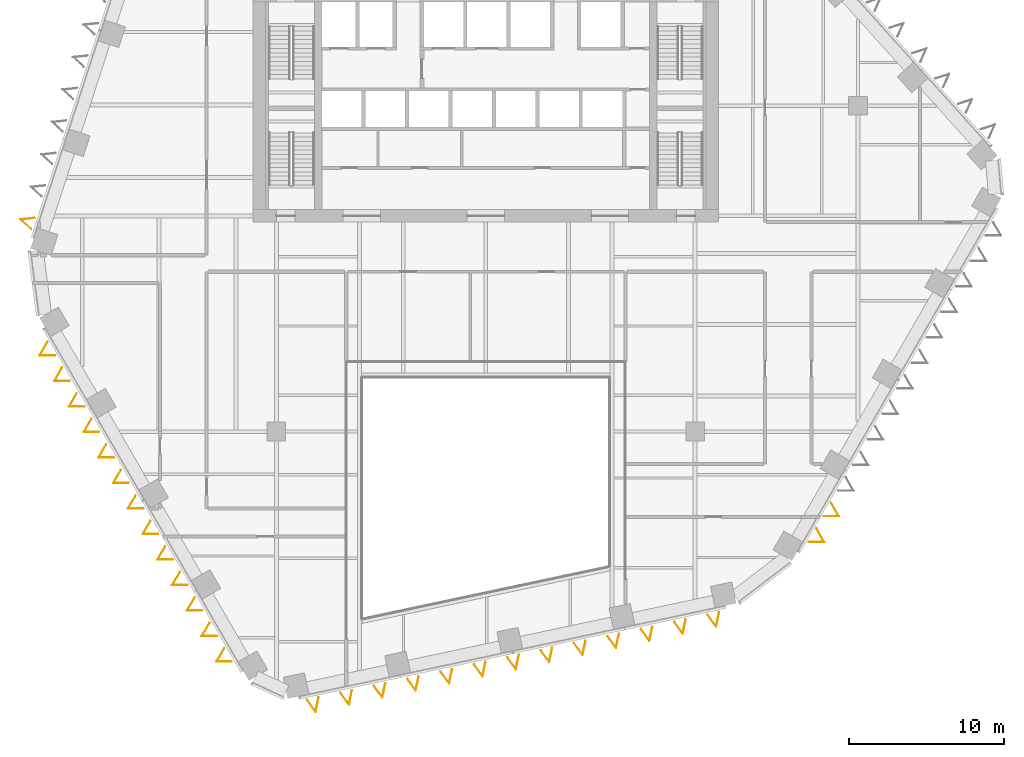
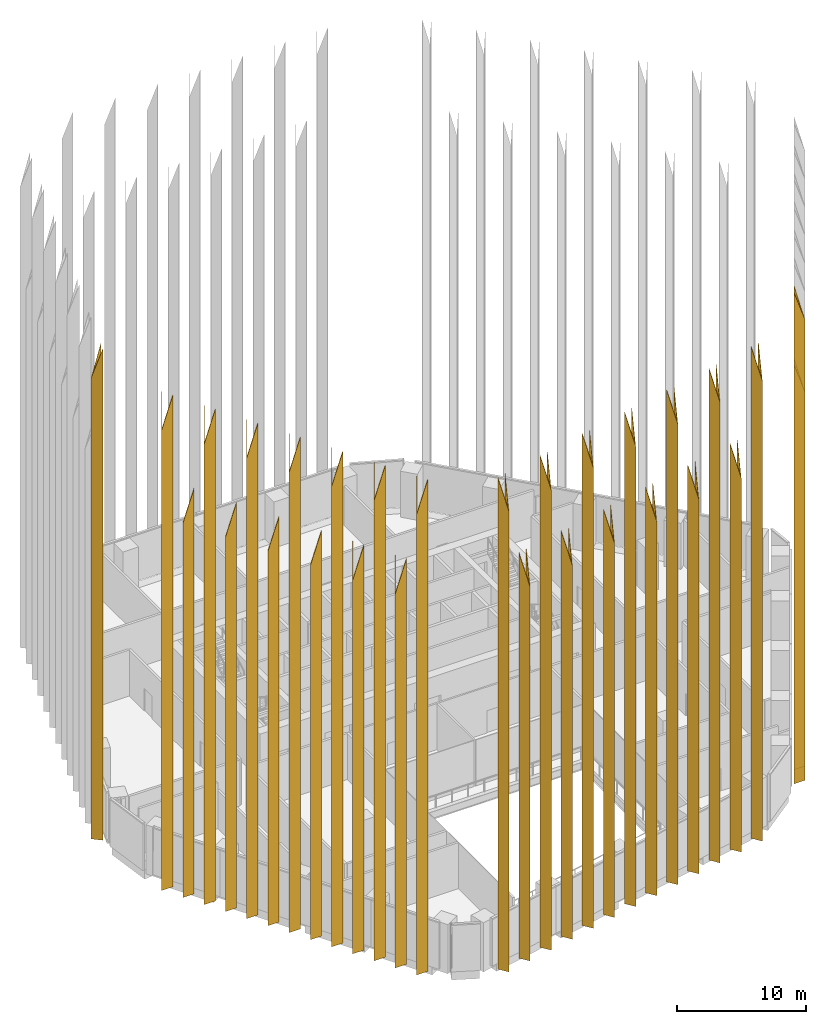
# One storey, part 16 of 18: 29 coverings.
"""IFC4 building model written with IfcOpenShell, lengths in metres."""

from ifc_helpers import new_model, si_unit, direction, frame, origin, place, context, subcontext, project, spatial, polyline, outline, faceted_brep, material, material_profile, profile_set, type_object, element, save


model = new_model("IFC4")

# Units and contexts
model_context = context("Model", 3, precision=1e-05, world=origin(), true_north=direction((0.0, 1.0)))
body_context = subcontext(model_context, "Body", "Model", "MODEL_VIEW")
ifc_project = project(units=[si_unit("LENGTHUNIT", "METRE"), si_unit("AREAUNIT", "SQUARE_METRE"), si_unit("VOLUMEUNIT", "CUBIC_METRE"), si_unit("PLANEANGLEUNIT", "RADIAN"), si_unit("MASSUNIT", "GRAM", prefix="KILO")], contexts=[model_context])

# Site, building, storey
site_placement = place(None, origin())
site = spatial("IfcSite", under=ifc_project, at=site_placement, CompositionType="ELEMENT")
building_placement = place(site_placement, origin())
building = spatial("IfcBuilding", under=site, at=building_placement, Name="Isthmus Gate Tower", CompositionType="ELEMENT")
storey_placement = place(building_placement, frame((0.0, 0.0, 166.300048828125)))
storey = spatial("IfcBuildingStorey", under=building, at=storey_placement, Name="L41", CompositionType="ELEMENT", Elevation=166.300048828125)

# Coverings
ifc_material_1 = material(Name="Structural steel ASTM A572 Gr 50, white paint system", Category="steel")
ifc_material_profile_1 = material_profile(ifc_material_1, outline(polyline([(0.0, -0.391845703125), (0.8798828125, 0.0), (0.0, 0.391845703125), (0.0, 0.35888671875), (0.80615234375, 0.0), (0.0, -0.35888671875), (0.0, -0.391845703125)])), Name="V880")
ifc_profile_set_1 = profile_set([ifc_material_profile_1], Name="Structural steel ASTM A572 Gr 50, white paint system")
covering_type_1 = type_object("IfcCoveringType", Name="FIN V 880 DEEP", PredefinedType="CLADDING", material=ifc_profile_set_1)
covering_1_placement = place(storey_placement, frame((0.0, 0.0, -166.300048828125)))
element("IfcCovering", 1, at=covering_1_placement, inside=storey, type_object=covering_type_1, Name="FIN", ObjectType="FIN", PredefinedType="CLADDING", context=body_context, shape_type="Brep", body=[
    faceted_brep([(-29.083740234375, 0.25244140625, 165.89990234375), (-29.96142578125, 0.16015625, 165.89990234375), (-29.305419921875, -0.43017578125, 165.89990234375), (-29.315673828125, -0.46142578125, 165.89990234375), (-30.031494140625, 0.18310546875, 165.89990234375), (-29.073486328125, 0.28369140625, 165.89990234375), (-29.073486328125, 0.28369140625, 212.39990234375), (-30.031494140625, 0.18310546875, 209.39990234375), (-29.315673828125, -0.46142578125, 212.39990234375), (-29.305419921875, -0.43017578125, 212.39990234375), (-29.96142578125, 0.16015625, 209.6513671875), (-29.083740234375, 0.25244140625, 212.39990234375)], [[[0, 1, 2, 3, 4, 5]], [[6, 7, 8, 9, 10, 11]], [[5, 4, 7, 6]], [[4, 3, 8, 7]], [[3, 2, 9, 8]], [[2, 1, 10, 9]], [[1, 0, 11, 10]], [[0, 5, 6, 11]]]),
])
covering_2_placement = place(storey_placement, frame((0.0, 0.0, -166.300048828125)))
element("IfcCovering", 2, at=covering_2_placement, inside=storey, type_object=covering_type_1, Name="FIN", ObjectType="FIN", PredefinedType="CLADDING", context=body_context, shape_type="Brep", body=[
    faceted_brep([(-11.499755859375, -30.80224609375, 165.89990234375), (-10.98095703125, -31.51611328125, 165.89990234375), (-10.797607421875, -30.65283203125, 165.89990234375), (-10.765380859375, -30.64599609375, 165.89990234375), (-10.9658203125, -31.58837890625, 165.89990234375), (-11.531982421875, -30.80908203125, 165.89990234375), (-11.531982421875, -30.80908203125, 212.39990234375), (-10.9658203125, -31.58837890625, 209.39990234375), (-10.765380859375, -30.64599609375, 212.39990234375), (-10.797607421875, -30.65283203125, 212.39990234375), (-10.98095703125, -31.51611328125, 209.6513671875), (-11.499755859375, -30.80224609375, 212.39990234375)], [[[0, 1, 2, 3, 4, 5]], [[6, 7, 8, 9, 10, 11]], [[5, 4, 7, 6]], [[4, 3, 8, 7]], [[3, 2, 9, 8]], [[2, 1, 10, 9]], [[1, 0, 11, 10]], [[0, 5, 6, 11]]]),
])
covering_3_placement = place(storey_placement, frame((0.0, 0.0, -166.300048828125)))
element("IfcCovering", 3, at=covering_3_placement, inside=storey, type_object=covering_type_1, Name="FIN", ObjectType="FIN", PredefinedType="CLADDING", context=body_context, shape_type="Brep", body=[
    faceted_brep([(-9.347900390625, -30.344970703125, 165.89990234375), (-8.8291015625, -31.058837890625, 165.89990234375), (-8.645751953125, -30.195556640625, 165.89990234375), (-8.613525390625, -30.188720703125, 165.89990234375), (-8.81396484375, -31.131103515625, 165.89990234375), (-9.380126953125, -30.351806640625, 165.89990234375), (-9.380126953125, -30.351806640625, 204.25), (-8.81396484375, -31.131103515625, 201.25), (-8.613525390625, -30.188720703125, 204.25), (-8.645751953125, -30.195556640625, 204.25), (-8.8291015625, -31.058837890625, 201.50146484375), (-9.347900390625, -30.344970703125, 204.25)], [[[0, 1, 2, 3, 4, 5]], [[6, 7, 8, 9, 10, 11]], [[5, 4, 7, 6]], [[4, 3, 8, 7]], [[3, 2, 9, 8]], [[2, 1, 10, 9]], [[1, 0, 11, 10]], [[0, 5, 6, 11]]]),
])
covering_4_placement = place(storey_placement, frame((0.0, 0.0, -166.300048828125)))
element("IfcCovering", 4, at=covering_4_placement, inside=storey, type_object=covering_type_1, Name="FIN", ObjectType="FIN", PredefinedType="CLADDING", context=body_context, shape_type="Brep", body=[
    faceted_brep([(-7.196044921875, -29.887451171875, 165.89990234375), (-6.67724609375, -30.601318359375, 165.89990234375), (-6.493896484375, -29.738037109375, 165.89990234375), (-6.461669921875, -29.731201171875, 165.89990234375), (-6.662109375, -30.673583984375, 165.89990234375), (-7.228271484375, -29.894287109375, 165.89990234375), (-7.228271484375, -29.894287109375, 212.39990234375), (-6.662109375, -30.673583984375, 209.39990234375), (-6.461669921875, -29.731201171875, 212.39990234375), (-6.493896484375, -29.738037109375, 212.39990234375), (-6.67724609375, -30.601318359375, 209.6513671875), (-7.196044921875, -29.887451171875, 212.39990234375)], [[[0, 1, 2, 3, 4, 5]], [[6, 7, 8, 9, 10, 11]], [[5, 4, 7, 6]], [[4, 3, 8, 7]], [[3, 2, 9, 8]], [[2, 1, 10, 9]], [[1, 0, 11, 10]], [[0, 5, 6, 11]]]),
])
covering_5_placement = place(storey_placement, frame((0.0, 0.0, -166.300048828125)))
element("IfcCovering", 5, at=covering_5_placement, inside=storey, type_object=covering_type_1, Name="FIN", ObjectType="FIN", PredefinedType="CLADDING", context=body_context, shape_type="Brep", body=[
    faceted_brep([(-5.044189453125, -29.43017578125, 165.89990234375), (-4.525390625, -30.14404296875, 165.89990234375), (-4.342041015625, -29.28076171875, 165.89990234375), (-4.309814453125, -29.27392578125, 165.89990234375), (-4.51025390625, -30.21630859375, 165.89990234375), (-5.076416015625, -29.43701171875, 165.89990234375), (-5.076416015625, -29.43701171875, 204.25), (-4.51025390625, -30.21630859375, 201.25), (-4.309814453125, -29.27392578125, 204.25), (-4.342041015625, -29.28076171875, 204.25), (-4.525390625, -30.14404296875, 201.50146484375), (-5.044189453125, -29.43017578125, 204.25)], [[[0, 1, 2, 3, 4, 5]], [[6, 7, 8, 9, 10, 11]], [[5, 4, 7, 6]], [[4, 3, 8, 7]], [[3, 2, 9, 8]], [[2, 1, 10, 9]], [[1, 0, 11, 10]], [[0, 5, 6, 11]]]),
])
covering_6_placement = place(storey_placement, frame((0.0, 0.0, -166.300048828125)))
element("IfcCovering", 6, at=covering_6_placement, inside=storey, type_object=covering_type_1, Name="FIN", ObjectType="FIN", PredefinedType="CLADDING", context=body_context, shape_type="Brep", body=[
    faceted_brep([(-2.89208984375, -28.97265625, 165.89990234375), (-2.373291015625, -29.6865234375, 165.89990234375), (-2.18994140625, -28.8232421875, 165.89990234375), (-2.15771484375, -28.81640625, 165.89990234375), (-2.358154296875, -29.7587890625, 165.89990234375), (-2.92431640625, -28.9794921875, 165.89990234375), (-2.92431640625, -28.9794921875, 212.39990234375), (-2.358154296875, -29.7587890625, 209.39990234375), (-2.15771484375, -28.81640625, 212.39990234375), (-2.18994140625, -28.8232421875, 212.39990234375), (-2.373291015625, -29.6865234375, 209.6513671875), (-2.89208984375, -28.97265625, 212.39990234375)], [[[0, 1, 2, 3, 4, 5]], [[6, 7, 8, 9, 10, 11]], [[5, 4, 7, 6]], [[4, 3, 8, 7]], [[3, 2, 9, 8]], [[2, 1, 10, 9]], [[1, 0, 11, 10]], [[0, 5, 6, 11]]]),
])
covering_7_placement = place(storey_placement, frame((0.0, 0.0, -166.300048828125)))
element("IfcCovering", 7, at=covering_7_placement, inside=storey, type_object=covering_type_1, Name="FIN", ObjectType="FIN", PredefinedType="CLADDING", context=body_context, shape_type="Brep", body=[
    faceted_brep([(-0.740234375, -28.51513671875, 165.89990234375), (-0.221435546875, -29.22900390625, 165.89990234375), (-0.0380859375, -28.36572265625, 165.89990234375), (-0.005859375, -28.35888671875, 165.89990234375), (-0.206298828125, -29.30126953125, 165.89990234375), (-0.7724609375, -28.52197265625, 165.89990234375), (-0.7724609375, -28.52197265625, 204.25), (-0.206298828125, -29.30126953125, 201.25), (-0.005859375, -28.35888671875, 204.25), (-0.0380859375, -28.36572265625, 204.25), (-0.221435546875, -29.22900390625, 201.50146484375), (-0.740234375, -28.51513671875, 204.25)], [[[0, 1, 2, 3, 4, 5]], [[6, 7, 8, 9, 10, 11]], [[5, 4, 7, 6]], [[4, 3, 8, 7]], [[3, 2, 9, 8]], [[2, 1, 10, 9]], [[1, 0, 11, 10]], [[0, 5, 6, 11]]]),
])
covering_8_placement = place(storey_placement, frame((0.0, 0.0, -166.300048828125)))
element("IfcCovering", 8, at=covering_8_placement, inside=storey, type_object=covering_type_1, Name="FIN", ObjectType="FIN", PredefinedType="CLADDING", context=body_context, shape_type="Brep", body=[
    faceted_brep([(1.41162109375, -28.057861328125, 165.89990234375), (1.930419921875, -28.771728515625, 165.89990234375), (2.11376953125, -27.908447265625, 165.89990234375), (2.14599609375, -27.901611328125, 165.89990234375), (1.945556640625, -28.843994140625, 165.89990234375), (1.37939453125, -28.064697265625, 165.89990234375), (1.37939453125, -28.064697265625, 212.39990234375), (1.945556640625, -28.843994140625, 209.39990234375), (2.14599609375, -27.901611328125, 212.39990234375), (2.11376953125, -27.908447265625, 212.39990234375), (1.930419921875, -28.771728515625, 209.6513671875), (1.41162109375, -28.057861328125, 212.39990234375)], [[[0, 1, 2, 3, 4, 5]], [[6, 7, 8, 9, 10, 11]], [[5, 4, 7, 6]], [[4, 3, 8, 7]], [[3, 2, 9, 8]], [[2, 1, 10, 9]], [[1, 0, 11, 10]], [[0, 5, 6, 11]]]),
])
covering_9_placement = place(storey_placement, frame((0.0, 0.0, -166.300048828125)))
element("IfcCovering", 9, at=covering_9_placement, inside=storey, type_object=covering_type_1, Name="FIN", ObjectType="FIN", PredefinedType="CLADDING", context=body_context, shape_type="Brep", body=[
    faceted_brep([(3.563720703125, -27.600341796875, 165.89990234375), (4.08251953125, -28.314208984375, 165.89990234375), (4.265869140625, -27.450927734375, 165.89990234375), (4.298095703125, -27.444091796875, 165.89990234375), (4.09765625, -28.386474609375, 165.89990234375), (3.531494140625, -27.607177734375, 165.89990234375), (3.531494140625, -27.607177734375, 204.25), (4.09765625, -28.386474609375, 201.25), (4.298095703125, -27.444091796875, 204.25), (4.265869140625, -27.450927734375, 204.25), (4.08251953125, -28.314208984375, 201.50146484375), (3.563720703125, -27.600341796875, 204.25)], [[[0, 1, 2, 3, 4, 5]], [[6, 7, 8, 9, 10, 11]], [[5, 4, 7, 6]], [[4, 3, 8, 7]], [[3, 2, 9, 8]], [[2, 1, 10, 9]], [[1, 0, 11, 10]], [[0, 5, 6, 11]]]),
])
covering_10_placement = place(storey_placement, frame((0.0, 0.0, -166.300048828125)))
element("IfcCovering", 10, at=covering_10_placement, inside=storey, type_object=covering_type_1, Name="FIN", ObjectType="FIN", PredefinedType="CLADDING", context=body_context, shape_type="Brep", body=[
    faceted_brep([(5.715576171875, -27.14306640625, 165.89990234375), (6.234375, -27.85693359375, 165.89990234375), (6.417724609375, -26.99365234375, 165.89990234375), (6.449951171875, -26.98681640625, 165.89990234375), (6.24951171875, -27.92919921875, 165.89990234375), (5.683349609375, -27.14990234375, 165.89990234375), (5.683349609375, -27.14990234375, 212.39990234375), (6.24951171875, -27.92919921875, 209.39990234375), (6.449951171875, -26.98681640625, 212.39990234375), (6.417724609375, -26.99365234375, 212.39990234375), (6.234375, -27.85693359375, 209.6513671875), (5.715576171875, -27.14306640625, 212.39990234375)], [[[0, 1, 2, 3, 4, 5]], [[6, 7, 8, 9, 10, 11]], [[5, 4, 7, 6]], [[4, 3, 8, 7]], [[3, 2, 9, 8]], [[2, 1, 10, 9]], [[1, 0, 11, 10]], [[0, 5, 6, 11]]]),
])
covering_11_placement = place(storey_placement, frame((0.0, 0.0, -166.300048828125)))
element("IfcCovering", 11, at=covering_11_placement, inside=storey, type_object=covering_type_1, Name="FIN", ObjectType="FIN", PredefinedType="CLADDING", context=body_context, shape_type="Brep", body=[
    faceted_brep([(7.867431640625, -26.685546875, 165.89990234375), (8.38623046875, -27.3994140625, 165.89990234375), (8.569580078125, -26.5361328125, 165.89990234375), (8.601806640625, -26.529296875, 165.89990234375), (8.4013671875, -27.4716796875, 165.89990234375), (7.835205078125, -26.6923828125, 165.89990234375), (7.835205078125, -26.6923828125, 204.25), (8.4013671875, -27.4716796875, 201.25), (8.601806640625, -26.529296875, 204.25), (8.569580078125, -26.5361328125, 204.25), (8.38623046875, -27.3994140625, 201.50146484375), (7.867431640625, -26.685546875, 204.25)], [[[0, 1, 2, 3, 4, 5]], [[6, 7, 8, 9, 10, 11]], [[5, 4, 7, 6]], [[4, 3, 8, 7]], [[3, 2, 9, 8]], [[2, 1, 10, 9]], [[1, 0, 11, 10]], [[0, 5, 6, 11]]]),
])
covering_12_placement = place(storey_placement, frame((0.0, 0.0, -166.300048828125)))
element("IfcCovering", 12, at=covering_12_placement, inside=storey, type_object=covering_type_1, Name="FIN", ObjectType="FIN", PredefinedType="CLADDING", context=body_context, shape_type="Brep", body=[
    faceted_brep([(10.019287109375, -26.228271484375, 165.89990234375), (10.5380859375, -26.942138671875, 165.89990234375), (10.721435546875, -26.078857421875, 165.89990234375), (10.753662109375, -26.072021484375, 165.89990234375), (10.55322265625, -27.014404296875, 165.89990234375), (9.987060546875, -26.235107421875, 165.89990234375), (9.987060546875, -26.235107421875, 212.39990234375), (10.55322265625, -27.014404296875, 209.39990234375), (10.753662109375, -26.072021484375, 212.39990234375), (10.721435546875, -26.078857421875, 212.39990234375), (10.5380859375, -26.942138671875, 209.6513671875), (10.019287109375, -26.228271484375, 212.39990234375)], [[[0, 1, 2, 3, 4, 5]], [[6, 7, 8, 9, 10, 11]], [[5, 4, 7, 6]], [[4, 3, 8, 7]], [[3, 2, 9, 8]], [[2, 1, 10, 9]], [[1, 0, 11, 10]], [[0, 5, 6, 11]]]),
])
covering_13_placement = place(storey_placement, frame((0.0, 0.0, -166.300048828125)))
element("IfcCovering", 13, at=covering_13_placement, inside=storey, type_object=covering_type_1, Name="FIN", ObjectType="FIN", PredefinedType="CLADDING", context=body_context, shape_type="Brep", body=[
    faceted_brep([(12.17138671875, -25.770751953125, 165.89990234375), (12.690185546875, -26.484619140625, 165.89990234375), (12.87353515625, -25.621337890625, 165.89990234375), (12.90576171875, -25.614501953125, 165.89990234375), (12.705322265625, -26.556884765625, 165.89990234375), (12.13916015625, -25.777587890625, 165.89990234375), (12.13916015625, -25.777587890625, 204.25), (12.705322265625, -26.556884765625, 201.25), (12.90576171875, -25.614501953125, 204.25), (12.87353515625, -25.621337890625, 204.25), (12.690185546875, -26.484619140625, 201.50146484375), (12.17138671875, -25.770751953125, 204.25)], [[[0, 1, 2, 3, 4, 5]], [[6, 7, 8, 9, 10, 11]], [[5, 4, 7, 6]], [[4, 3, 8, 7]], [[3, 2, 9, 8]], [[2, 1, 10, 9]], [[1, 0, 11, 10]], [[0, 5, 6, 11]]]),
])
covering_14_placement = place(storey_placement, frame((0.0, 0.0, -166.300048828125)))
element("IfcCovering", 14, at=covering_14_placement, inside=storey, type_object=covering_type_1, Name="FIN", ObjectType="FIN", PredefinedType="CLADDING", context=body_context, shape_type="Brep", body=[
    faceted_brep([(14.3232421875, -25.3134765625, 165.89990234375), (14.842041015625, -26.02734375, 165.89990234375), (15.025390625, -25.1640625, 165.89990234375), (15.0576171875, -25.1572265625, 165.89990234375), (14.857177734375, -26.099609375, 165.89990234375), (14.291015625, -25.3203125, 165.89990234375), (14.291015625, -25.3203125, 212.39990234375), (14.857177734375, -26.099609375, 209.39990234375), (15.0576171875, -25.1572265625, 212.39990234375), (15.025390625, -25.1640625, 212.39990234375), (14.842041015625, -26.02734375, 209.6513671875), (14.3232421875, -25.3134765625, 212.39990234375)], [[[0, 1, 2, 3, 4, 5]], [[6, 7, 8, 9, 10, 11]], [[5, 4, 7, 6]], [[4, 3, 8, 7]], [[3, 2, 9, 8]], [[2, 1, 10, 9]], [[1, 0, 11, 10]], [[0, 5, 6, 11]]]),
])
ifc_material_2 = material(Name="Structural steel ASTM A572 Gr 50, white paint system", Category="steel")
ifc_material_profile_2 = material_profile(ifc_material_2, outline(polyline([(0.0, -0.508056640625), (0.8798828125, 0.0), (0.0, 0.508056640625), (0.0, 0.473388671875), (0.820068359375, 0.0), (0.0, -0.473388671875), (0.0, -0.508056640625)])), Name="V880W")
ifc_profile_set_2 = profile_set([ifc_material_profile_2], Name="Structural steel ASTM A572 Gr 50, white paint system")
covering_type_2 = type_object("IfcCoveringType", Name="FIN V 880 DEEP WIDE", PredefinedType="CLADDING", material=ifc_profile_set_2)
covering_15_placement = place(storey_placement, frame((0.0, 0.0, -166.300048828125)))
element("IfcCovering", 15, at=covering_15_placement, inside=storey, type_object=covering_type_2, Name="FIN", ObjectType="FIN", PredefinedType="CLADDING", context=body_context, shape_type="Brep", body=[
    faceted_brep([(-28.2578125, -7.75634765625, 165.89990234375), (-28.731201171875, -8.576171875, 165.89990234375), (-27.7841796875, -8.576171875, 165.89990234375), (-27.766845703125, -8.606201171875, 165.89990234375), (-28.783203125, -8.606201171875, 165.89990234375), (-28.275146484375, -7.726318359375, 165.89990234375), (-28.275146484375, -7.726318359375, 212.39990234375), (-28.783203125, -8.606201171875, 209.39990234375), (-27.766845703125, -8.606201171875, 212.39990234375), (-27.7841796875, -8.576171875, 212.39990234375), (-28.731201171875, -8.576171875, 209.6044921875), (-28.2578125, -7.75634765625, 212.39990234375)], [[[0, 1, 2, 3, 4, 5]], [[6, 7, 8, 9, 10, 11]], [[5, 4, 7, 6]], [[4, 3, 8, 7]], [[3, 2, 9, 8]], [[2, 1, 10, 9]], [[1, 0, 11, 10]], [[0, 5, 6, 11]]]),
])
covering_16_placement = place(storey_placement, frame((0.0, 0.0, -166.300048828125)))
element("IfcCovering", 16, at=covering_16_placement, inside=storey, type_object=covering_type_2, Name="FIN", ObjectType="FIN", PredefinedType="CLADDING", context=body_context, shape_type="Brep", body=[
    faceted_brep([(-27.307861328125, -9.40185546875, 165.89990234375), (-27.78125, -10.2216796875, 165.89990234375), (-26.834228515625, -10.2216796875, 165.89990234375), (-26.81689453125, -10.251708984375, 165.89990234375), (-27.833251953125, -10.251708984375, 165.89990234375), (-27.3251953125, -9.371826171875, 165.89990234375), (-27.3251953125, -9.371826171875, 204.25), (-27.833251953125, -10.251708984375, 201.25), (-26.81689453125, -10.251708984375, 204.25), (-26.834228515625, -10.2216796875, 204.25), (-27.78125, -10.2216796875, 201.45458984375), (-27.307861328125, -9.40185546875, 204.25)], [[[0, 1, 2, 3, 4, 5]], [[6, 7, 8, 9, 10, 11]], [[5, 4, 7, 6]], [[4, 3, 8, 7]], [[3, 2, 9, 8]], [[2, 1, 10, 9]], [[1, 0, 11, 10]], [[0, 5, 6, 11]]]),
])
covering_17_placement = place(storey_placement, frame((0.0, 0.0, -166.300048828125)))
element("IfcCovering", 17, at=covering_17_placement, inside=storey, type_object=covering_type_2, Name="FIN", ObjectType="FIN", PredefinedType="CLADDING", context=body_context, shape_type="Brep", body=[
    faceted_brep([(-26.357666015625, -11.04736328125, 165.89990234375), (-26.8310546875, -11.8671875, 165.89990234375), (-25.884033203125, -11.8671875, 165.89990234375), (-25.86669921875, -11.897216796875, 165.89990234375), (-26.883056640625, -11.897216796875, 165.89990234375), (-26.375, -11.017333984375, 165.89990234375), (-26.375, -11.017333984375, 212.39990234375), (-26.883056640625, -11.897216796875, 209.39990234375), (-25.86669921875, -11.897216796875, 212.39990234375), (-25.884033203125, -11.8671875, 212.39990234375), (-26.8310546875, -11.8671875, 209.6044921875), (-26.357666015625, -11.04736328125, 212.39990234375)], [[[0, 1, 2, 3, 4, 5]], [[6, 7, 8, 9, 10, 11]], [[5, 4, 7, 6]], [[4, 3, 8, 7]], [[3, 2, 9, 8]], [[2, 1, 10, 9]], [[1, 0, 11, 10]], [[0, 5, 6, 11]]]),
])
covering_18_placement = place(storey_placement, frame((0.0, 0.0, -166.300048828125)))
element("IfcCovering", 18, at=covering_18_placement, inside=storey, type_object=covering_type_2, Name="FIN", ObjectType="FIN", PredefinedType="CLADDING", context=body_context, shape_type="Brep", body=[
    faceted_brep([(-25.40771484375, -12.692626953125, 165.89990234375), (-25.881103515625, -13.512451171875, 165.89990234375), (-24.93408203125, -13.512451171875, 165.89990234375), (-24.916748046875, -13.54248046875, 165.89990234375), (-25.93310546875, -13.54248046875, 165.89990234375), (-25.425048828125, -12.66259765625, 165.89990234375), (-25.425048828125, -12.66259765625, 204.25), (-25.93310546875, -13.54248046875, 201.25), (-24.916748046875, -13.54248046875, 204.25), (-24.93408203125, -13.512451171875, 204.25), (-25.881103515625, -13.512451171875, 201.45458984375), (-25.40771484375, -12.692626953125, 204.25)], [[[0, 1, 2, 3, 4, 5]], [[6, 7, 8, 9, 10, 11]], [[5, 4, 7, 6]], [[4, 3, 8, 7]], [[3, 2, 9, 8]], [[2, 1, 10, 9]], [[1, 0, 11, 10]], [[0, 5, 6, 11]]]),
])
covering_19_placement = place(storey_placement, frame((0.0, 0.0, -166.300048828125)))
element("IfcCovering", 19, at=covering_19_placement, inside=storey, type_object=covering_type_2, Name="FIN", ObjectType="FIN", PredefinedType="CLADDING", context=body_context, shape_type="Brep", body=[
    faceted_brep([(-24.457763671875, -14.338134765625, 165.89990234375), (-24.93115234375, -15.157958984375, 165.89990234375), (-23.984130859375, -15.157958984375, 165.89990234375), (-23.966796875, -15.18798828125, 165.89990234375), (-24.983154296875, -15.18798828125, 165.89990234375), (-24.47509765625, -14.30810546875, 165.89990234375), (-24.47509765625, -14.30810546875, 212.39990234375), (-24.983154296875, -15.18798828125, 209.39990234375), (-23.966796875, -15.18798828125, 212.39990234375), (-23.984130859375, -15.157958984375, 212.39990234375), (-24.93115234375, -15.157958984375, 209.6044921875), (-24.457763671875, -14.338134765625, 212.39990234375)], [[[0, 1, 2, 3, 4, 5]], [[6, 7, 8, 9, 10, 11]], [[5, 4, 7, 6]], [[4, 3, 8, 7]], [[3, 2, 9, 8]], [[2, 1, 10, 9]], [[1, 0, 11, 10]], [[0, 5, 6, 11]]]),
])
covering_20_placement = place(storey_placement, frame((0.0, 0.0, -166.300048828125)))
element("IfcCovering", 20, at=covering_20_placement, inside=storey, type_object=covering_type_2, Name="FIN", ObjectType="FIN", PredefinedType="CLADDING", context=body_context, shape_type="Brep", body=[
    faceted_brep([(-23.5078125, -15.983642578125, 165.89990234375), (-23.981201171875, -16.803466796875, 165.89990234375), (-23.0341796875, -16.803466796875, 165.89990234375), (-23.016845703125, -16.83349609375, 165.89990234375), (-24.033203125, -16.83349609375, 165.89990234375), (-23.525146484375, -15.95361328125, 165.89990234375), (-23.525146484375, -15.95361328125, 204.25), (-24.033203125, -16.83349609375, 201.25), (-23.016845703125, -16.83349609375, 204.25), (-23.0341796875, -16.803466796875, 204.25), (-23.981201171875, -16.803466796875, 201.45458984375), (-23.5078125, -15.983642578125, 204.25)], [[[0, 1, 2, 3, 4, 5]], [[6, 7, 8, 9, 10, 11]], [[5, 4, 7, 6]], [[4, 3, 8, 7]], [[3, 2, 9, 8]], [[2, 1, 10, 9]], [[1, 0, 11, 10]], [[0, 5, 6, 11]]]),
])
covering_21_placement = place(storey_placement, frame((0.0, 0.0, -166.300048828125)))
element("IfcCovering", 21, at=covering_21_placement, inside=storey, type_object=covering_type_2, Name="FIN", ObjectType="FIN", PredefinedType="CLADDING", context=body_context, shape_type="Brep", body=[
    faceted_brep([(-22.557861328125, -17.629150390625, 165.89990234375), (-23.03125, -18.448974609375, 165.89990234375), (-22.084228515625, -18.448974609375, 165.89990234375), (-22.06689453125, -18.47900390625, 165.89990234375), (-23.083251953125, -18.47900390625, 165.89990234375), (-22.5751953125, -17.59912109375, 165.89990234375), (-22.5751953125, -17.59912109375, 212.39990234375), (-23.083251953125, -18.47900390625, 209.39990234375), (-22.06689453125, -18.47900390625, 212.39990234375), (-22.084228515625, -18.448974609375, 212.39990234375), (-23.03125, -18.448974609375, 209.6044921875), (-22.557861328125, -17.629150390625, 212.39990234375)], [[[0, 1, 2, 3, 4, 5]], [[6, 7, 8, 9, 10, 11]], [[5, 4, 7, 6]], [[4, 3, 8, 7]], [[3, 2, 9, 8]], [[2, 1, 10, 9]], [[1, 0, 11, 10]], [[0, 5, 6, 11]]]),
])
covering_22_placement = place(storey_placement, frame((0.0, 0.0, -166.300048828125)))
element("IfcCovering", 22, at=covering_22_placement, inside=storey, type_object=covering_type_2, Name="FIN", ObjectType="FIN", PredefinedType="CLADDING", context=body_context, shape_type="Brep", body=[
    faceted_brep([(-21.607666015625, -19.2744140625, 165.89990234375), (-22.0810546875, -20.09423828125, 165.89990234375), (-21.134033203125, -20.09423828125, 165.89990234375), (-21.11669921875, -20.124267578125, 165.89990234375), (-22.133056640625, -20.124267578125, 165.89990234375), (-21.625, -19.244384765625, 165.89990234375), (-21.625, -19.244384765625, 204.25), (-22.133056640625, -20.124267578125, 201.25), (-21.11669921875, -20.124267578125, 204.25), (-21.134033203125, -20.09423828125, 204.25), (-22.0810546875, -20.09423828125, 201.45458984375), (-21.607666015625, -19.2744140625, 204.25)], [[[0, 1, 2, 3, 4, 5]], [[6, 7, 8, 9, 10, 11]], [[5, 4, 7, 6]], [[4, 3, 8, 7]], [[3, 2, 9, 8]], [[2, 1, 10, 9]], [[1, 0, 11, 10]], [[0, 5, 6, 11]]]),
])
covering_23_placement = place(storey_placement, frame((0.0, 0.0, -166.300048828125)))
element("IfcCovering", 23, at=covering_23_placement, inside=storey, type_object=covering_type_2, Name="FIN", ObjectType="FIN", PredefinedType="CLADDING", context=body_context, shape_type="Brep", body=[
    faceted_brep([(-20.65771484375, -20.919921875, 165.89990234375), (-21.131103515625, -21.73974609375, 165.89990234375), (-20.18408203125, -21.73974609375, 165.89990234375), (-20.166748046875, -21.769775390625, 165.89990234375), (-21.18310546875, -21.769775390625, 165.89990234375), (-20.675048828125, -20.889892578125, 165.89990234375), (-20.675048828125, -20.889892578125, 212.39990234375), (-21.18310546875, -21.769775390625, 209.39990234375), (-20.166748046875, -21.769775390625, 212.39990234375), (-20.18408203125, -21.73974609375, 212.39990234375), (-21.131103515625, -21.73974609375, 209.6044921875), (-20.65771484375, -20.919921875, 212.39990234375)], [[[0, 1, 2, 3, 4, 5]], [[6, 7, 8, 9, 10, 11]], [[5, 4, 7, 6]], [[4, 3, 8, 7]], [[3, 2, 9, 8]], [[2, 1, 10, 9]], [[1, 0, 11, 10]], [[0, 5, 6, 11]]]),
])
covering_24_placement = place(storey_placement, frame((0.0, 0.0, -166.300048828125)))
element("IfcCovering", 24, at=covering_24_placement, inside=storey, type_object=covering_type_2, Name="FIN", ObjectType="FIN", PredefinedType="CLADDING", context=body_context, shape_type="Brep", body=[
    faceted_brep([(-19.707763671875, -22.5654296875, 165.89990234375), (-20.18115234375, -23.38525390625, 165.89990234375), (-19.234130859375, -23.38525390625, 165.89990234375), (-19.216796875, -23.415283203125, 165.89990234375), (-20.233154296875, -23.415283203125, 165.89990234375), (-19.72509765625, -22.535400390625, 165.89990234375), (-19.72509765625, -22.535400390625, 204.25), (-20.233154296875, -23.415283203125, 201.25), (-19.216796875, -23.415283203125, 204.25), (-19.234130859375, -23.38525390625, 204.25), (-20.18115234375, -23.38525390625, 201.45458984375), (-19.707763671875, -22.5654296875, 204.25)], [[[0, 1, 2, 3, 4, 5]], [[6, 7, 8, 9, 10, 11]], [[5, 4, 7, 6]], [[4, 3, 8, 7]], [[3, 2, 9, 8]], [[2, 1, 10, 9]], [[1, 0, 11, 10]], [[0, 5, 6, 11]]]),
])
covering_25_placement = place(storey_placement, frame((0.0, 0.0, -166.300048828125)))
element("IfcCovering", 25, at=covering_25_placement, inside=storey, type_object=covering_type_2, Name="FIN", ObjectType="FIN", PredefinedType="CLADDING", context=body_context, shape_type="Brep", body=[
    faceted_brep([(-18.7578125, -24.2109375, 165.89990234375), (-19.231201171875, -25.03076171875, 165.89990234375), (-18.2841796875, -25.03076171875, 165.89990234375), (-18.266845703125, -25.060791015625, 165.89990234375), (-19.283203125, -25.060791015625, 165.89990234375), (-18.775146484375, -24.180908203125, 165.89990234375), (-18.775146484375, -24.180908203125, 212.39990234375), (-19.283203125, -25.060791015625, 209.39990234375), (-18.266845703125, -25.060791015625, 212.39990234375), (-18.2841796875, -25.03076171875, 212.39990234375), (-19.231201171875, -25.03076171875, 209.6044921875), (-18.7578125, -24.2109375, 212.39990234375)], [[[0, 1, 2, 3, 4, 5]], [[6, 7, 8, 9, 10, 11]], [[5, 4, 7, 6]], [[4, 3, 8, 7]], [[3, 2, 9, 8]], [[2, 1, 10, 9]], [[1, 0, 11, 10]], [[0, 5, 6, 11]]]),
])
covering_26_placement = place(storey_placement, frame((0.0, 0.0, -166.300048828125)))
element("IfcCovering", 26, at=covering_26_placement, inside=storey, type_object=covering_type_2, Name="FIN", ObjectType="FIN", PredefinedType="CLADDING", context=body_context, shape_type="Brep", body=[
    faceted_brep([(-17.807861328125, -25.856201171875, 165.89990234375), (-18.28125, -26.676025390625, 165.89990234375), (-17.334228515625, -26.676025390625, 165.89990234375), (-17.31689453125, -26.7060546875, 165.89990234375), (-18.333251953125, -26.7060546875, 165.89990234375), (-17.8251953125, -25.826171875, 165.89990234375), (-17.8251953125, -25.826171875, 204.25), (-18.333251953125, -26.7060546875, 201.25), (-17.31689453125, -26.7060546875, 204.25), (-17.334228515625, -26.676025390625, 204.25), (-18.28125, -26.676025390625, 201.45458984375), (-17.807861328125, -25.856201171875, 204.25)], [[[0, 1, 2, 3, 4, 5]], [[6, 7, 8, 9, 10, 11]], [[5, 4, 7, 6]], [[4, 3, 8, 7]], [[3, 2, 9, 8]], [[2, 1, 10, 9]], [[1, 0, 11, 10]], [[0, 5, 6, 11]]]),
])
covering_27_placement = place(storey_placement, frame((0.0, 0.0, -166.300048828125)))
element("IfcCovering", 27, at=covering_27_placement, inside=storey, type_object=covering_type_2, Name="FIN", ObjectType="FIN", PredefinedType="CLADDING", context=body_context, shape_type="Brep", body=[
    faceted_brep([(-16.857666015625, -27.501708984375, 165.89990234375), (-17.3310546875, -28.321533203125, 165.89990234375), (-16.384033203125, -28.321533203125, 165.89990234375), (-16.36669921875, -28.3515625, 165.89990234375), (-17.383056640625, -28.3515625, 165.89990234375), (-16.875, -27.4716796875, 165.89990234375), (-16.875, -27.4716796875, 212.39990234375), (-17.383056640625, -28.3515625, 209.39990234375), (-16.36669921875, -28.3515625, 212.39990234375), (-16.384033203125, -28.321533203125, 212.39990234375), (-17.3310546875, -28.321533203125, 209.6044921875), (-16.857666015625, -27.501708984375, 212.39990234375)], [[[0, 1, 2, 3, 4, 5]], [[6, 7, 8, 9, 10, 11]], [[5, 4, 7, 6]], [[4, 3, 8, 7]], [[3, 2, 9, 8]], [[2, 1, 10, 9]], [[1, 0, 11, 10]], [[0, 5, 6, 11]]]),
])
covering_28_placement = place(storey_placement, frame((0.0, 0.0, -166.300048828125)))
element("IfcCovering", 28, at=covering_28_placement, inside=storey, type_object=covering_type_2, Name="FIN", ObjectType="FIN", PredefinedType="CLADDING", context=body_context, shape_type="Brep", body=[
    faceted_brep([(20.845947265625, -20.59375, 165.89990234375), (21.79296875, -20.59375, 165.89990234375), (21.319580078125, -19.77392578125, 165.89990234375), (21.3369140625, -19.743896484375, 165.89990234375), (21.844970703125, -20.623779296875, 165.89990234375), (20.82861328125, -20.623779296875, 165.89990234375), (20.82861328125, -20.623779296875, 212.39990234375), (21.844970703125, -20.623779296875, 209.39990234375), (21.3369140625, -19.743896484375, 212.39990234375), (21.319580078125, -19.77392578125, 212.39990234375), (21.79296875, -20.59375, 209.6044921875), (20.845947265625, -20.59375, 212.39990234375)], [[[0, 1, 2, 3, 4, 5]], [[6, 7, 8, 9, 10, 11]], [[5, 4, 7, 6]], [[4, 3, 8, 7]], [[3, 2, 9, 8]], [[2, 1, 10, 9]], [[1, 0, 11, 10]], [[0, 5, 6, 11]]]),
])
covering_29_placement = place(storey_placement, frame((0.0, 0.0, -166.300048828125)))
element("IfcCovering", 29, at=covering_29_placement, inside=storey, type_object=covering_type_2, Name="FIN", ObjectType="FIN", PredefinedType="CLADDING", context=body_context, shape_type="Brep", body=[
    faceted_brep([(21.7958984375, -18.9482421875, 165.89990234375), (22.742919921875, -18.9482421875, 165.89990234375), (22.26953125, -18.12841796875, 165.89990234375), (22.286865234375, -18.098388671875, 165.89990234375), (22.794921875, -18.978271484375, 165.89990234375), (21.778564453125, -18.978271484375, 165.89990234375), (21.778564453125, -18.978271484375, 204.25), (22.794921875, -18.978271484375, 201.25), (22.286865234375, -18.098388671875, 204.25), (22.26953125, -18.12841796875, 204.25), (22.742919921875, -18.9482421875, 201.45458984375), (21.7958984375, -18.9482421875, 204.25)], [[[0, 1, 2, 3, 4, 5]], [[6, 7, 8, 9, 10, 11]], [[5, 4, 7, 6]], [[4, 3, 8, 7]], [[3, 2, 9, 8]], [[2, 1, 10, 9]], [[1, 0, 11, 10]], [[0, 5, 6, 11]]]),
])

save(model, "model.ifc")
